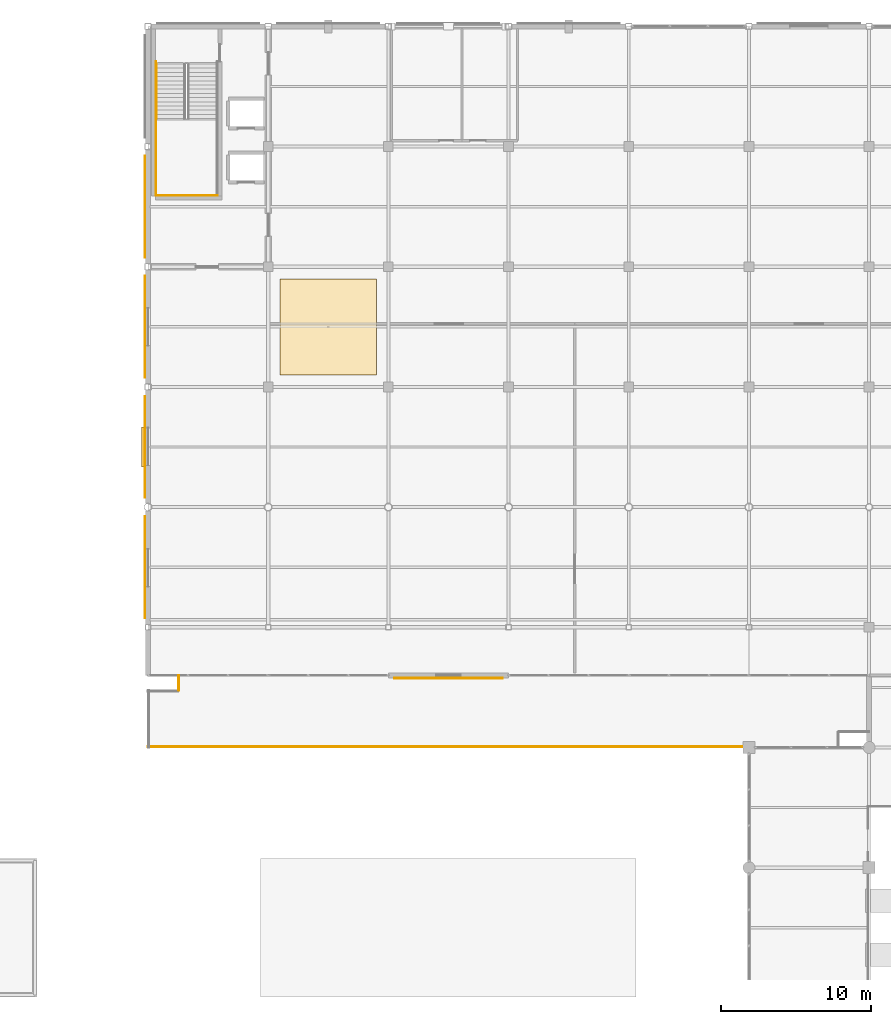
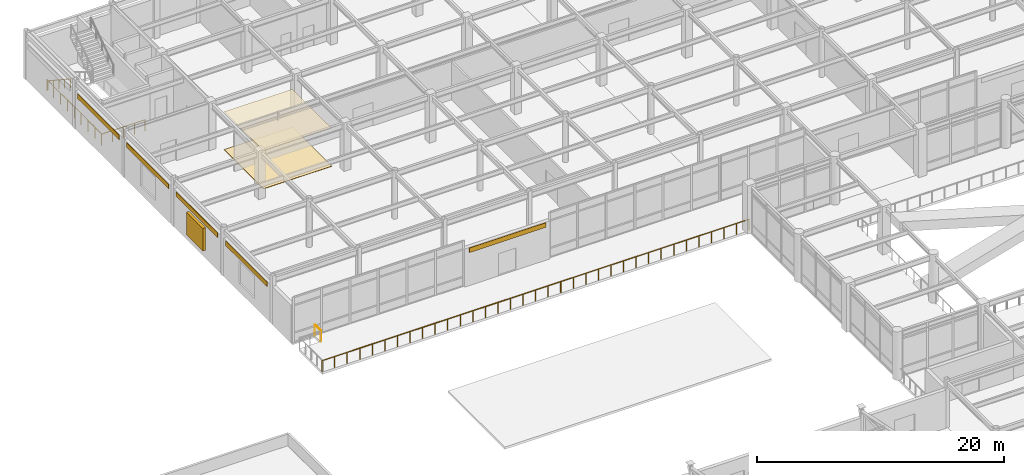
# One storey, part 109 of 117: 7 coverings, 5 railings, 1 shading device.
"""IFC4 building model written with IfcOpenShell, lengths in metres."""

from ifc_helpers import new_model, si_unit, direction, frame, origin, origin_2d, place, context, subcontext, project, spatial, polyline, rectangle, circle, outline, extrude, material, layer, layer_set, type_object, element, save


model = new_model("IFC4")

# Units and contexts
model_context = context("Model", 3, precision=1e-05, world=origin(), true_north=direction((0.0, 1.0)))
body_context = subcontext(model_context, "Body", "Model", "MODEL_VIEW")
ifc_project = project(units=[si_unit("LENGTHUNIT", "METRE"), si_unit("AREAUNIT", "SQUARE_METRE"), si_unit("VOLUMEUNIT", "CUBIC_METRE"), si_unit("PLANEANGLEUNIT", "RADIAN"), si_unit("MASSUNIT", "GRAM", prefix="KILO")], contexts=[model_context])

# Site, building, storey
site_placement = place(None, origin())
site = spatial("IfcSite", under=ifc_project, at=site_placement, CompositionType="ELEMENT")
building_placement = place(site_placement, origin())
building = spatial("IfcBuilding", under=site, at=building_placement, Name="Solmirada Galleria", CompositionType="ELEMENT")
storey_placement = place(building_placement, frame((0.0, 0.0, 5.60009765625)))
storey = spatial("IfcBuildingStorey", under=building, at=storey_placement, Name="L01", CompositionType="ELEMENT", Elevation=5.60009765625)

# Coverings
ifc_material_1 = material(Name="Perforated acoustic mineral-fibre ceiling")
ifc_layer_1 = layer(ifc_material_1, 0.02490234375)
ifc_layer_set_1 = layer_set([ifc_layer_1], Name="Perforated acoustic mineral-fibre ceiling")
covering_type_1 = type_object("IfcCoveringType", Name="COV-CEIL-ACOUST", PredefinedType="CEILING", material=ifc_layer_set_1)
covering_1_placement = place(storey_placement, frame((0.0, 0.0, 3.75)))
element("IfcCovering", 1, at=covering_1_placement, inside=storey, type_object=covering_type_1, Name="Acoustic ceiling panel L01-1", PredefinedType="CEILING", context=body_context, shape_type="SweptSolid", body=[
    extrude(outline(polyline([(48.800048828125, 96.800048828125), (55.199951171875, 96.800048828125), (55.199951171875, 103.199951171875), (48.800048828125, 103.199951171875), (48.800048828125, 96.800048828125)])), origin(), (0.0, 0.0, 1.0), 0.02490234375),
])
ifc_material_2 = material(Name="Limestone cladding panels", Category="masonry")
ifc_layer_2 = layer(ifc_material_2, 0.044921875)
ifc_layer_set_2 = layer_set([ifc_layer_2], Name="Limestone cladding panels")
covering_type_2 = type_object("IfcCoveringType", Name="COV-CLAD-LIME", PredefinedType="CLADDING", material=ifc_layer_set_2)
covering_2_placement = place(storey_placement, frame((60.0, 76.607421875, 3.2900390625), z_axis=(0.0, 0.0, 1.0), x_axis=(-1.0, 0.0, 0.0)))
element("IfcCovering", 2, at=covering_2_placement, inside=storey, type_object=covering_type_2, Name="Postmodern facade cladding L01-065", PredefinedType="CLADDING", context=body_context, shape_type="SweptSolid", body=[
    extrude(rectangle(XDim=7.199951171875, YDim=0.044921875, at=origin_2d()), origin(), (0.0, 0.0, 1.0), 0.4599609375),
])
covering_3_placement = place(storey_placement, frame((39.8076171875, 84.0, 3.2900390625), z_axis=(0.0, 0.0, 1.0), x_axis=(0.0, 1.0, 0.0)))
element("IfcCovering", 3, at=covering_3_placement, inside=storey, type_object=covering_type_2, Name="Postmodern facade cladding L01-066", PredefinedType="CLADDING", context=body_context, shape_type="SweptSolid", body=[
    extrude(rectangle(XDim=6.76806640625, YDim=0.044921875, at=origin_2d()), origin(), (0.0, 0.0, 1.0), 0.4599609375),
])
covering_4_placement = place(storey_placement, frame((39.8076171875, 92.0, 3.2900390625), z_axis=(0.0, 0.0, 1.0), x_axis=(0.0, 1.0, 0.0)))
element("IfcCovering", 4, at=covering_4_placement, inside=storey, type_object=covering_type_2, Name="Postmodern facade cladding L01-067", PredefinedType="CLADDING", context=body_context, shape_type="SweptSolid", body=[
    extrude(rectangle(XDim=6.742919921875, YDim=0.044921875, at=origin_2d()), origin(), (0.0, 0.0, 1.0), 0.4599609375),
])
for number, where, z_axis, x_axis, name in (
    (5, (39.8076171875, 100.0, 3.2900390625), (0.0, 0.0, 1.0), (0.0, 1.0, 0.0), "Postmodern facade cladding L01-068"),
    (6, (39.8076171875, 108.0, 3.2900390625), (0.0, 0.0, 1.0), (0.0, 1.0, 0.0), "Postmodern facade cladding L01-069"),
):
    element("IfcCovering", number, at=place(storey_placement, frame(where, z_axis=z_axis, x_axis=x_axis)), inside=storey, type_object=covering_type_2, Name=name, PredefinedType="CLADDING", context=body_context, shape_type="SweptSolid", body=[
        extrude(rectangle(XDim=6.7939453125, YDim=0.044921875, at=origin_2d()), origin(), (0.0, 0.0, 1.0), 0.4599609375),
    ])
ifc_material_3 = material(Name="Polished terrazzo and porcelain tile flooring")
ifc_layer_3 = layer(ifc_material_3, 0.030029296875)
ifc_layer_set_3 = layer_set([ifc_layer_3], Name="Polished terrazzo and porcelain tile flooring")
covering_type_3 = type_object("IfcCoveringType", Name="COV-FLOOR-TERRAZ", PredefinedType="FLOORING", material=ifc_layer_set_3)
covering_5_placement = place(storey_placement, origin())
element("IfcCovering", 7, at=covering_5_placement, inside=storey, type_object=covering_type_3, Name="Terrazzo floor finish L01-1", PredefinedType="FLOORING", context=body_context, shape_type="SweptSolid", body=[
    extrude(outline(polyline([(48.800048828125, 96.800048828125), (55.199951171875, 96.800048828125), (55.199951171875, 103.199951171875), (48.800048828125, 103.199951171875), (48.800048828125, 96.800048828125)])), origin(), (0.0, 0.0, 1.0), 0.02978515625),
])

# Railings
ifc_material_4 = material(Name="Painted steel tubular railing", Category="steel")
railing_type_1 = type_object("IfcRailingType", Name="RAIL-STAIR-GUARD", PredefinedType="GUARDRAIL", material=ifc_material_4)
railing_1_placement = place(storey_placement, frame((44.610107421875, 108.739990234375, 0.0)))
element("IfcRailing", 8, at=railing_1_placement, inside=storey, type_object=railing_type_1, Name="Stair ST1 well edge guard L01-2", PredefinedType="GUARDRAIL", context=body_context, shape_type="SweptSolid", body=[
    extrude(circle(Radius=0.02392578125, at=origin_2d()), frame((0.0, 0.0, 1.09619140625), z_axis=(-1.0, 0.0, 0.0), x_axis=(0.0, -1.0, 0.0)), (0.0, 0.0, 1.0), 4.070068359375),
    extrude(circle(Radius=0.02099609375, at=origin_2d()), origin(), (0.0, 0.0, 1.0), 1.068115234375),
    extrude(circle(Radius=0.02099609375, at=origin_2d()), frame((-1.017578125, 0.0, 0.0)), (0.0, 0.0, 1.0), 1.068115234375),
    extrude(circle(Radius=0.02099609375, at=origin_2d()), frame((-2.03515625, 0.0, 0.0)), (0.0, 0.0, 1.0), 1.068115234375),
    extrude(circle(Radius=0.02099609375, at=origin_2d()), frame((-3.052490234375, 0.0, 0.0)), (0.0, 0.0, 1.0), 1.068115234375),
    extrude(circle(Radius=0.02099609375, at=origin_2d()), frame((-4.070068359375, 0.0, 0.0)), (0.0, 0.0, 1.0), 1.068115234375),
])
railing_2_placement = place(storey_placement, frame((40.5400390625, 108.739990234375, 0.0)))
element("IfcRailing", 9, at=railing_2_placement, inside=storey, type_object=railing_type_1, Name="Stair ST1 well edge guard L01-3", PredefinedType="GUARDRAIL", context=body_context, shape_type="SweptSolid", body=[
    extrude(circle(Radius=0.02392578125, at=origin_2d()), frame((0.0, 0.0, 1.09619140625), z_axis=(0.0, 1.0, 0.0), x_axis=(-1.0, 0.0, 0.0)), (0.0, 0.0, 1.0), 8.909912109375),
    extrude(circle(Radius=0.02099609375, at=origin_2d()), origin(), (0.0, 0.0, 1.0), 1.068115234375),
    extrude(circle(Radius=0.02099609375, at=origin_2d()), frame((0.0, 1.11376953125, 0.0)), (0.0, 0.0, 1.0), 1.068115234375),
    extrude(circle(Radius=0.02099609375, at=origin_2d()), frame((0.0, 2.2275390625, 0.0)), (0.0, 0.0, 1.0), 1.068115234375),
    extrude(circle(Radius=0.02099609375, at=origin_2d()), frame((0.0, 3.34130859375, 0.0)), (0.0, 0.0, 1.0), 1.068115234375),
    extrude(circle(Radius=0.02099609375, at=origin_2d()), frame((0.0, 4.455078125, 0.0)), (0.0, 0.0, 1.0), 1.068115234375),
    extrude(circle(Radius=0.02099609375, at=origin_2d()), frame((0.0, 5.568603515625, 0.0)), (0.0, 0.0, 1.0), 1.068115234375),
    extrude(circle(Radius=0.02099609375, at=origin_2d()), frame((0.0, 6.682373046875, 0.0)), (0.0, 0.0, 1.0), 1.068115234375),
    extrude(circle(Radius=0.02099609375, at=origin_2d()), frame((0.0, 7.796142578125, 0.0)), (0.0, 0.0, 1.0), 1.068115234375),
    extrude(circle(Radius=0.02099609375, at=origin_2d()), frame((0.0, 8.909912109375, 0.0)), (0.0, 0.0, 1.0), 1.068115234375),
])
railing_type_2 = type_object("IfcRailingType", Name="RAIL-STAIR-HAND", PredefinedType="HANDRAIL", material=ifc_material_4)
railing_3_placement = place(storey_placement, frame((40.550048828125, 117.5, 0.17138671875)))
element("IfcRailing", 10, at=railing_3_placement, inside=storey, type_object=railing_type_2, Name="L01 ST1 stair handrail 1", PredefinedType="HANDRAIL", context=body_context, shape_type="SweptSolid", body=[
    extrude(circle(Radius=0.02392578125, at=origin_2d()), frame((0.0, 0.0, 0.8759765625), z_axis=(0.0, -0.834865213223, 0.550454426587), x_axis=(1.0, 0.0, 0.0)), (0.0, 0.0, 1.0), 4.35986328125),
    extrude(circle(Radius=0.02099609375, at=origin_2d()), origin(), (0.0, 0.0, 1.0), 0.847900390625),
    extrude(circle(Radius=0.02099609375, at=origin_2d()), frame((0.0, -0.909912109375, 0.60009765625)), (0.0, 0.0, 1.0), 0.847900390625),
    extrude(circle(Radius=0.02099609375, at=origin_2d()), frame((0.0, -1.81982421875, 1.199951171875)), (0.0, 0.0, 1.0), 0.847900390625),
    extrude(circle(Radius=0.02099609375, at=origin_2d()), frame((0.0, -2.72998046875, 1.7998046875)), (0.0, 0.0, 1.0), 0.847900390625),
    extrude(circle(Radius=0.02099609375, at=origin_2d()), frame((0.0, -3.639892578125, 2.39990234375)), (0.0, 0.0, 1.0), 0.847900390625),
])
ifc_material_5 = material(Name="Painted galvanized steel balustrade", Category="steel")
railing_type_3 = type_object("IfcRailingType", Name="RAIL-TERR-1100", PredefinedType="GUARDRAIL", material=ifc_material_5)
railing_4_placement = place(storey_placement, frame((40.0, 72.050048828125, 0.0)))
element("IfcRailing", 11, at=railing_4_placement, inside=storey, type_object=railing_type_3, Name="Terrace guardrail L01-TERR-NW E1.1", PredefinedType="GUARDRAIL", context=body_context, shape_type="SweptSolid", body=[
    extrude(circle(Radius=0.02392578125, at=origin_2d()), frame((0.0, 0.0, 1.09619140625), z_axis=(1.0, 0.0, 0.0), x_axis=(0.0, 1.0, 0.0)), (0.0, 0.0, 1.0), 40.0),
    extrude(circle(Radius=0.02099609375, at=origin_2d()), origin(), (0.0, 0.0, 1.0), 1.068115234375),
    extrude(circle(Radius=0.02099609375, at=origin_2d()), frame((1.176513671875, 0.0, 0.0)), (0.0, 0.0, 1.0), 1.068115234375),
    extrude(circle(Radius=0.02099609375, at=origin_2d()), frame((2.35302734375, 0.0, 0.0)), (0.0, 0.0, 1.0), 1.068115234375),
    extrude(circle(Radius=0.02099609375, at=origin_2d()), frame((3.529296875, 0.0, 0.0)), (0.0, 0.0, 1.0), 1.068115234375),
    extrude(circle(Radius=0.02099609375, at=origin_2d()), frame((4.705810546875, 0.0, 0.0)), (0.0, 0.0, 1.0), 1.068115234375),
    extrude(circle(Radius=0.02099609375, at=origin_2d()), frame((5.88232421875, 0.0, 0.0)), (0.0, 0.0, 1.0), 1.068115234375),
    extrude(circle(Radius=0.02099609375, at=origin_2d()), frame((7.058837890625, 0.0, 0.0)), (0.0, 0.0, 1.0), 1.068115234375),
    extrude(circle(Radius=0.02099609375, at=origin_2d()), frame((8.2353515625, 0.0, 0.0)), (0.0, 0.0, 1.0), 1.068115234375),
    extrude(circle(Radius=0.02099609375, at=origin_2d()), frame((9.411865234375, 0.0, 0.0)), (0.0, 0.0, 1.0), 1.068115234375),
    extrude(circle(Radius=0.02099609375, at=origin_2d()), frame((10.588134765625, 0.0, 0.0)), (0.0, 0.0, 1.0), 1.068115234375),
    extrude(circle(Radius=0.02099609375, at=origin_2d()), frame((11.7646484375, 0.0, 0.0)), (0.0, 0.0, 1.0), 1.068115234375),
    extrude(circle(Radius=0.02099609375, at=origin_2d()), frame((12.941162109375, 0.0, 0.0)), (0.0, 0.0, 1.0), 1.068115234375),
    extrude(circle(Radius=0.02099609375, at=origin_2d()), frame((14.11767578125, 0.0, 0.0)), (0.0, 0.0, 1.0), 1.068115234375),
    extrude(circle(Radius=0.02099609375, at=origin_2d()), frame((15.294189453125, 0.0, 0.0)), (0.0, 0.0, 1.0), 1.068115234375),
    extrude(circle(Radius=0.02099609375, at=origin_2d()), frame((16.470703125, 0.0, 0.0)), (0.0, 0.0, 1.0), 1.068115234375),
    extrude(circle(Radius=0.02099609375, at=origin_2d()), frame((17.64697265625, 0.0, 0.0)), (0.0, 0.0, 1.0), 1.068115234375),
    extrude(circle(Radius=0.02099609375, at=origin_2d()), frame((18.823486328125, 0.0, 0.0)), (0.0, 0.0, 1.0), 1.068115234375),
    extrude(circle(Radius=0.02099609375, at=origin_2d()), frame((20.0, 0.0, 0.0)), (0.0, 0.0, 1.0), 1.068115234375),
    extrude(circle(Radius=0.02099609375, at=origin_2d()), frame((21.176513671875, 0.0, 0.0)), (0.0, 0.0, 1.0), 1.068115234375),
    extrude(circle(Radius=0.02099609375, at=origin_2d()), frame((22.35302734375, 0.0, 0.0)), (0.0, 0.0, 1.0), 1.068115234375),
    extrude(circle(Radius=0.02099609375, at=origin_2d()), frame((23.529296875, 0.0, 0.0)), (0.0, 0.0, 1.0), 1.068115234375),
    extrude(circle(Radius=0.02099609375, at=origin_2d()), frame((24.705810546875, 0.0, 0.0)), (0.0, 0.0, 1.0), 1.068115234375),
    extrude(circle(Radius=0.02099609375, at=origin_2d()), frame((25.88232421875, 0.0, 0.0)), (0.0, 0.0, 1.0), 1.068115234375),
    extrude(circle(Radius=0.02099609375, at=origin_2d()), frame((27.058837890625, 0.0, 0.0)), (0.0, 0.0, 1.0), 1.068115234375),
    extrude(circle(Radius=0.02099609375, at=origin_2d()), frame((28.2353515625, 0.0, 0.0)), (0.0, 0.0, 1.0), 1.068115234375),
    extrude(circle(Radius=0.02099609375, at=origin_2d()), frame((29.411865234375, 0.0, 0.0)), (0.0, 0.0, 1.0), 1.068115234375),
    extrude(circle(Radius=0.02099609375, at=origin_2d()), frame((30.588134765625, 0.0, 0.0)), (0.0, 0.0, 1.0), 1.068115234375),
    extrude(circle(Radius=0.02099609375, at=origin_2d()), frame((31.7646484375, 0.0, 0.0)), (0.0, 0.0, 1.0), 1.068115234375),
    extrude(circle(Radius=0.02099609375, at=origin_2d()), frame((32.941162109375, 0.0, 0.0)), (0.0, 0.0, 1.0), 1.068115234375),
    extrude(circle(Radius=0.02099609375, at=origin_2d()), frame((34.11767578125, 0.0, 0.0)), (0.0, 0.0, 1.0), 1.068115234375),
    extrude(circle(Radius=0.02099609375, at=origin_2d()), frame((35.294189453125, 0.0, 0.0)), (0.0, 0.0, 1.0), 1.068115234375),
    extrude(circle(Radius=0.02099609375, at=origin_2d()), frame((36.470703125, 0.0, 0.0)), (0.0, 0.0, 1.0), 1.068115234375),
    extrude(circle(Radius=0.02099609375, at=origin_2d()), frame((37.64697265625, 0.0, 0.0)), (0.0, 0.0, 1.0), 1.068115234375),
    extrude(circle(Radius=0.02099609375, at=origin_2d()), frame((38.823486328125, 0.0, 0.0)), (0.0, 0.0, 1.0), 1.068115234375),
    extrude(circle(Radius=0.02099609375, at=origin_2d()), frame((40.0, 0.0, 0.0)), (0.0, 0.0, 1.0), 1.068115234375),
])
railing_5_placement = place(storey_placement, frame((42.050048828125, 76.800048828125, 0.0)))
element("IfcRailing", 12, at=railing_5_placement, inside=storey, type_object=railing_type_3, Name="Terrace guardrail L01-TERR-NW E6.1", PredefinedType="GUARDRAIL", context=body_context, shape_type="SweptSolid", body=[
    extrude(circle(Radius=0.02392578125, at=origin_2d()), frame((0.0, 0.0, 1.09619140625), z_axis=(0.0, -1.0, 0.0), x_axis=(1.0, 0.0, 0.0)), (0.0, 0.0, 1.0), 1.0),
    extrude(circle(Radius=0.02099609375, at=origin_2d()), origin(), (0.0, 0.0, 1.0), 1.068115234375),
    extrude(circle(Radius=0.02099609375, at=origin_2d()), frame((0.0, -1.0, 0.0)), (0.0, 0.0, 1.0), 1.068115234375),
])

# Shading device
ifc_material_6 = material(Name="Extruded aluminium storm louvres", Category="aluminium")
shading_device_type = type_object("IfcShadingDeviceType", Name="SHD-JALOUSIE", PredefinedType="JALOUSIE", material=ifc_material_6)
shading_device_placement = place(storey_placement, frame((39.699951171875, 92.0, 0.7998046875), z_axis=(0.0, 0.0, 1.0), x_axis=(0.0, 1.0, 0.0)))
element("IfcShadingDevice", 13, at=shading_device_placement, inside=storey, type_object=shading_device_type, Name="Hurricane storm jalousie louvre 039", PredefinedType="JALOUSIE", context=body_context, shape_type="SweptSolid", body=[
    extrude(rectangle(XDim=2.659912109375, YDim=0.260009765625, at=origin_2d()), origin(), (0.0, 0.0, 1.0), 2.25),
])

save(model, "model.ifc")
